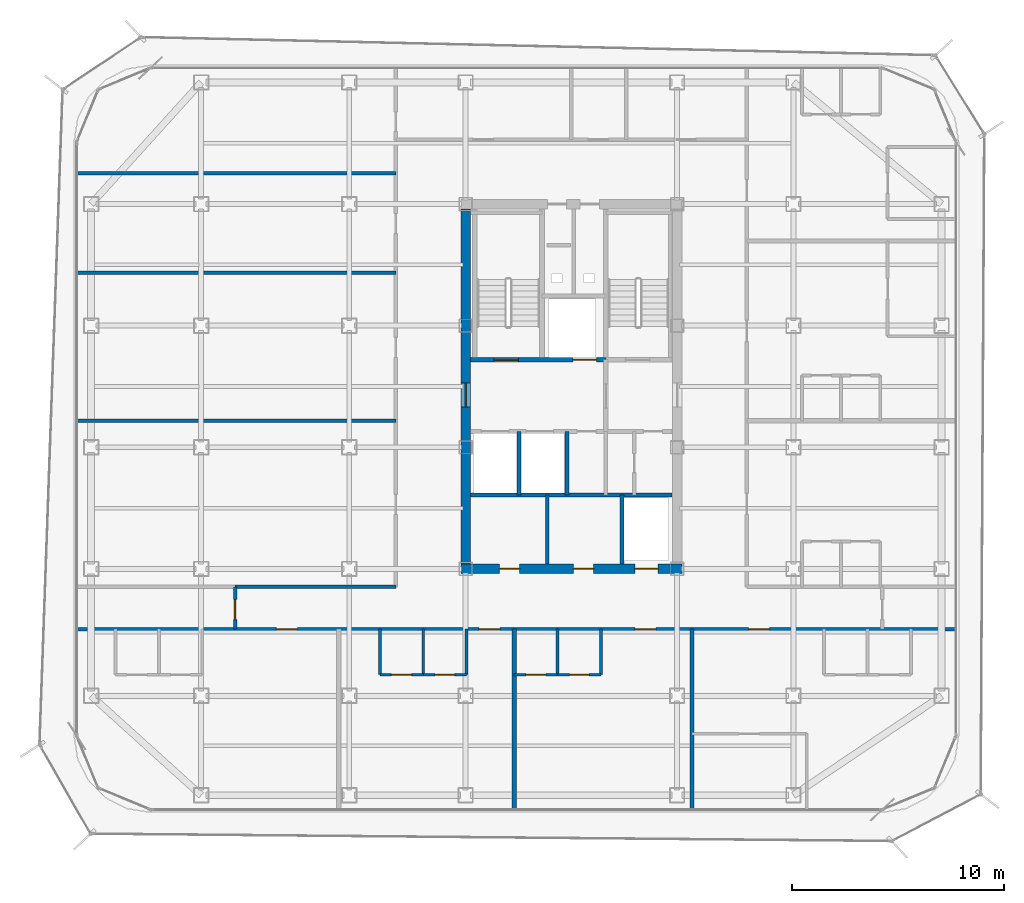
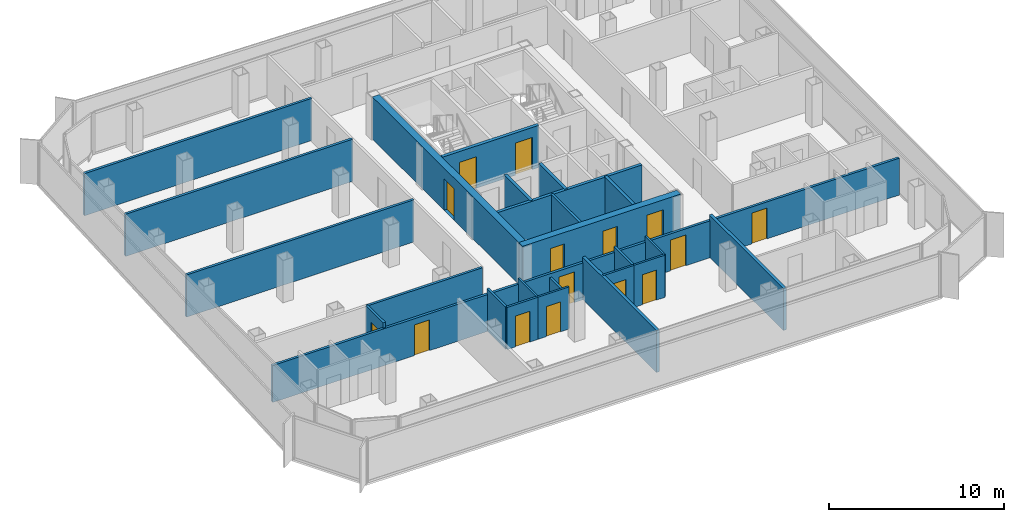
# One storey, part 10 of 16: 25 walls, 15 doors, 15 openings.
"""IFC4 building model written with IfcOpenShell, lengths in metres."""

from ifc_helpers import new_model, si_unit, direction, frame, frame_2d, origin, place, context, subcontext, project, spatial, rectangle, extrude, material, layer, layer_set, type_object, element, fill, save


model = new_model("IFC4")

# Units and contexts
model_context = context("Model", 3, precision=1e-05, world=origin(), true_north=direction((0.0, 1.0)))
body_context = subcontext(model_context, "Body", "Model", "MODEL_VIEW")
ifc_project = project(units=[si_unit("LENGTHUNIT", "METRE"), si_unit("AREAUNIT", "SQUARE_METRE"), si_unit("VOLUMEUNIT", "CUBIC_METRE"), si_unit("PLANEANGLEUNIT", "RADIAN"), si_unit("MASSUNIT", "GRAM", prefix="KILO")], contexts=[model_context])

# Site, building, storey
site_placement = place(None, origin())
site = spatial("IfcSite", under=ifc_project, at=site_placement, CompositionType="ELEMENT")
building_placement = place(site_placement, origin())
building = spatial("IfcBuilding", under=site, at=building_placement, Name="Kolveth Station Tower", CompositionType="ELEMENT")
storey_placement = place(building_placement, frame((0.0, 0.0, 162.5)))
storey = spatial("IfcBuildingStorey", under=building, at=storey_placement, Name="L45", CompositionType="ELEMENT", Elevation=162.5)

# Wall, openings, doors
ifc_material_1 = material(Name="Concrete C50/60", Category="concrete")
ifc_layer_1 = layer(ifc_material_1, 0.449951171875)
ifc_layer_set_1 = layer_set([ifc_layer_1], Name="Concrete C50/60")
wall_type_1 = type_object("IfcWallType", Name="Wall_CW-450", PredefinedType="SHEAR", material=ifc_layer_set_1)
wall_1_placement = place(storey_placement, frame((18.27490234375, 11.5, 0.0), z_axis=(0.0, 0.0, 1.0), x_axis=(1.0, 0.0, 0.0)))
wall_1 = element("IfcWall", 1, at=wall_1_placement, inside=storey, type_object=wall_type_1, Name="L45 Core RC Shear Wall S", PredefinedType="SHEAR", context=body_context, shape_type="SweptSolid", body=[
    extrude(rectangle(XDim=10.4501953125, YDim=0.449951171875, at=frame_2d((5.22509765625, 0.0))), origin(), (0.0, 0.0, 1.0), 2.949951171875),
])
opening_1_placement = place(wall_1_placement, frame((1.824951171875, 0.0, 0.0)))
opening_1 = element("IfcOpeningElement", 2, at=opening_1_placement, cuts=wall_1, Name="Opening ID1", PredefinedType="OPENING", context=body_context, shape_type="SweptSolid", body=[
    extrude(rectangle(XDim=0.949951171875, YDim=2.14990234375, at=frame_2d((0.47509765625, 1.074951171875))), frame((0.0, 0.23486328125, 0.0), z_axis=(0.0, -1.0, 0.0), x_axis=(1.0, 0.0, 0.0)), (0.0, 0.0, 1.0), 0.469970703125),
])
opening_2_placement = place(wall_1_placement, frame((5.324951171875, 0.0, 0.0)))
opening_2 = element("IfcOpeningElement", 3, at=opening_2_placement, cuts=wall_1, Name="Opening ID1", PredefinedType="OPENING", context=body_context, shape_type="SweptSolid", body=[
    extrude(rectangle(XDim=0.949951171875, YDim=2.14990234375, at=frame_2d((0.47509765625, 1.074951171875))), frame((0.0, 0.23486328125, 0.0), z_axis=(0.0, -1.0, 0.0), x_axis=(1.0, 0.0, 0.0)), (0.0, 0.0, 1.0), 0.469970703125),
])
opening_3_placement = place(wall_1_placement, frame((8.22509765625, 0.0, 0.0)))
opening_3 = element("IfcOpeningElement", 4, at=opening_3_placement, cuts=wall_1, Name="Opening LD1", PredefinedType="OPENING", context=body_context, shape_type="SweptSolid", body=[
    extrude(rectangle(XDim=1.10009765625, YDim=2.25, at=frame_2d((0.550048828125, 1.125))), frame((0.0, 0.23486328125, 0.0), z_axis=(0.0, -1.0, 0.0), x_axis=(1.0, 0.0, 0.0)), (0.0, 0.0, 1.0), 0.469970703125),
])
ifc_material_2 = material(Name="Acoustic hardwood leaf and aluminium frame", Category="wood")
door_type_1 = type_object("IfcDoorType", Name="Door_ID1", OperationType="NOTDEFINED", PredefinedType="DOOR", material=ifc_material_2)
door_1_placement = place(opening_1_placement, frame((0.949951171875, 0.0, 0.0), z_axis=(0.0, 0.0, 1.0), x_axis=(-1.0, 0.0, 0.0)))
door_1 = element("IfcDoor", 5, at=door_1_placement, inside=storey, type_object=door_type_1, Name="L45 Laundry Room Door", OperationType="SINGLE_SWING_LEFT", OverallHeight=2.14990234375, OverallWidth=0.949951171875, PredefinedType="DOOR", context=body_context, shape_type="SweptSolid", body=[
    extrude(rectangle(XDim=0.949951171875, YDim=2.14990234375, at=frame_2d((0.47509765625, 1.074951171875))), frame((0.0, 0.02490234375, 0.0), z_axis=(0.0, -1.0, 0.0), x_axis=(1.0, 0.0, 0.0)), (0.0, 0.0, 1.0), 0.050048828125),
])
fill(opening_1, door_1)
door_2_placement = place(opening_2_placement, frame((0.949951171875, 0.0, 0.0), z_axis=(0.0, 0.0, 1.0), x_axis=(-1.0, 0.0, 0.0)))
door_2 = element("IfcDoor", 6, at=door_2_placement, inside=storey, type_object=door_type_1, Name="L45 Parcel Room Door", OperationType="SINGLE_SWING_RIGHT", OverallHeight=2.14990234375, OverallWidth=0.949951171875, PredefinedType="DOOR", context=body_context, shape_type="SweptSolid", body=[
    extrude(rectangle(XDim=0.949951171875, YDim=2.14990234375, at=frame_2d((0.47509765625, 1.074951171875))), frame((0.0, 0.02490234375, 0.0), z_axis=(0.0, -1.0, 0.0), x_axis=(1.0, 0.0, 0.0)), (0.0, 0.0, 1.0), 0.050048828125),
])
fill(opening_2, door_2)
ifc_material_3 = material(Name="Brushed stainless steel sliding landing doors", Category="steel")
door_type_2 = type_object("IfcDoorType", Name="Door_LD1", OperationType="NOTDEFINED", PredefinedType="DOOR", material=ifc_material_3)
door_3_placement = place(opening_3_placement, frame((1.10009765625, 0.0, 0.0), z_axis=(0.0, 0.0, 1.0), x_axis=(-1.0, 0.0, 0.0)))
door_3 = element("IfcDoor", 7, at=door_3_placement, inside=storey, type_object=door_type_2, Name="L45 Lift PH1 Landing Door", OperationType="DOUBLE_DOOR_SLIDING", OverallHeight=2.25, OverallWidth=1.10009765625, PredefinedType="DOOR", context=body_context, shape_type="SweptSolid", body=[
    extrude(rectangle(XDim=1.10009765625, YDim=2.25, at=frame_2d((0.550048828125, 1.125))), frame((0.0, 0.02490234375, 0.0), z_axis=(0.0, -1.0, 0.0), x_axis=(1.0, 0.0, 0.0)), (0.0, 0.0, 1.0), 0.050048828125),
])
fill(opening_3, door_3)

# Wall, opening, door
wall_2_placement = place(storey_placement, frame((18.5, 11.72509765625, 0.0), z_axis=(0.0, 0.0, 1.0), x_axis=(0.0, 1.0, 0.0)))
wall_2 = element("IfcWall", 8, at=wall_2_placement, inside=storey, type_object=wall_type_1, Name="L45 Core RC Shear Wall W", PredefinedType="SHEAR", context=body_context, shape_type="SweptSolid", body=[
    extrude(rectangle(XDim=16.7998046875, YDim=0.449951171875, at=frame_2d((8.39990234375, 0.0))), origin(), (0.0, 0.0, 1.0), 2.949951171875),
])
opening_4_placement = place(wall_2_placement, frame((7.425048828125, 0.0, 0.0)))
opening_4 = element("IfcOpeningElement", 9, at=opening_4_placement, cuts=wall_2, Name="Opening FD1", PredefinedType="OPENING", context=body_context, shape_type="SweptSolid", body=[
    extrude(rectangle(XDim=1.14990234375, YDim=2.199951171875, at=frame_2d((0.574951171875, 1.10009765625))), frame((0.0, 0.23486328125, 0.0), z_axis=(0.0, -1.0, 0.0), x_axis=(1.0, 0.0, 0.0)), (0.0, 0.0, 1.0), 0.469970703125),
])
ifc_material_4 = material(Name="Fire-rated Steel S355 leaf and frame", Category="steel")
door_type_3 = type_object("IfcDoorType", Name="Door_FD1", OperationType="NOTDEFINED", PredefinedType="DOOR", material=ifc_material_4)
door_4_placement = place(opening_4_placement, frame((1.14990234375, 0.0, 0.0), z_axis=(0.0, 0.0, 1.0), x_axis=(-1.0, 0.0, 0.0)))
door_4 = element("IfcDoor", 10, at=door_4_placement, inside=storey, type_object=door_type_3, Name="L45 West Corridor to Firefighting Lobby Door", OperationType="SINGLE_SWING_LEFT", OverallHeight=2.199951171875, OverallWidth=1.14990234375, PredefinedType="DOOR", context=body_context, shape_type="SweptSolid", body=[
    extrude(rectangle(XDim=1.14990234375, YDim=2.199951171875, at=frame_2d((0.574951171875, 1.10009765625))), frame((0.0, 0.02490234375, 0.0), z_axis=(0.0, -1.0, 0.0), x_axis=(1.0, 0.0, 0.0)), (0.0, 0.0, 1.0), 0.050048828125),
])
fill(opening_4, door_4)

ifc_material_5 = material(Name="Moisture-resistant gypsum partition")
ifc_layer_2 = layer(ifc_material_5, 0.135009765625)
ifc_layer_set_2 = layer_set([ifc_layer_2], Name="Moisture-resistant gypsum partition")
wall_type_2 = type_object("IfcWallType", Name="Wall_IW-135", PredefinedType="PARTITIONING", material=ifc_layer_set_2)
wall_3_placement = place(storey_placement, frame((14.449951171875, 6.5, 0.0), z_axis=(0.0, 0.0, 1.0), x_axis=(1.0, 0.0, 0.0)))
wall_3 = element("IfcWall", 11, at=wall_3_placement, inside=storey, type_object=wall_type_2, Name="L45 Partition Wall WL-L45-A2-IBHK", PredefinedType="PARTITIONING", context=body_context, shape_type="SweptSolid", body=[
    extrude(rectangle(XDim=2.050048828125, YDim=0.135009765625, at=frame_2d((1.02490234375, 0.0))), origin(), (0.0, 0.0, 1.0), 2.949951171875),
])
opening_5_placement = place(wall_3_placement, frame((0.544921875, 0.0, 0.0)))
opening_5 = element("IfcOpeningElement", 12, at=opening_5_placement, cuts=wall_3, Name="Opening ID1", PredefinedType="OPENING", context=body_context, shape_type="SweptSolid", body=[
    extrude(rectangle(XDim=0.949951171875, YDim=2.14990234375, at=frame_2d((0.47509765625, 1.074951171875))), frame((0.0, 0.077392578125, 0.0), z_axis=(0.0, -1.0, 0.0), x_axis=(1.0, 0.0, 0.0)), (0.0, 0.0, 1.0), 0.155029296875),
])
door_5_placement = place(opening_5_placement, origin())
door_5 = element("IfcDoor", 13, at=door_5_placement, inside=storey, type_object=door_type_1, Name="Flat L45-A2 Kitchen Door", OperationType="SINGLE_SWING_RIGHT", OverallHeight=2.14990234375, OverallWidth=0.949951171875, PredefinedType="DOOR", context=body_context, shape_type="SweptSolid", body=[
    extrude(rectangle(XDim=0.949951171875, YDim=2.14990234375, at=frame_2d((0.47509765625, 1.074951171875))), frame((0.0, 0.02490234375, 0.0), z_axis=(0.0, -1.0, 0.0), x_axis=(1.0, 0.0, 0.0)), (0.0, 0.0, 1.0), 0.050048828125),
])
fill(opening_5, door_5)

wall_4_placement = place(storey_placement, frame((16.5, 6.5, 0.0), z_axis=(0.0, 0.0, 1.0), x_axis=(1.0, 0.0, 0.0)))
wall_4 = element("IfcWall", 14, at=wall_4_placement, inside=storey, type_object=wall_type_2, Name="L45 Partition Wall WL-L45-A2-IBHB", PredefinedType="PARTITIONING", context=body_context, shape_type="SweptSolid", body=[
    extrude(rectangle(XDim=2.050048828125, YDim=0.135009765625, at=frame_2d((1.02490234375, 0.0))), origin(), (0.0, 0.0, 1.0), 2.949951171875),
])
opening_6_placement = place(wall_4_placement, frame((0.56494140625, 0.0, 0.0)))
opening_6 = element("IfcOpeningElement", 15, at=opening_6_placement, cuts=wall_4, Name="Opening ID2", PredefinedType="OPENING", context=body_context, shape_type="SweptSolid", body=[
    extrude(rectangle(XDim=0.919921875, YDim=2.10009765625, at=frame_2d((0.4599609375, 1.050048828125))), frame((0.0, 0.077392578125, 0.0), z_axis=(0.0, -1.0, 0.0), x_axis=(1.0, 0.0, 0.0)), (0.0, 0.0, 1.0), 0.155029296875),
])
ifc_material_6 = material(Name="Moisture-resistant hardwood leaf", Category="wood")
door_type_4 = type_object("IfcDoorType", Name="Door_ID2", OperationType="NOTDEFINED", PredefinedType="DOOR", material=ifc_material_6)
door_6_placement = place(opening_6_placement, origin())
door_6 = element("IfcDoor", 16, at=door_6_placement, inside=storey, type_object=door_type_4, Name="Flat L45-A2 Bathroom Door", OperationType="SINGLE_SWING_LEFT", OverallHeight=2.10009765625, OverallWidth=0.919921875, PredefinedType="DOOR", context=body_context, shape_type="SweptSolid", body=[
    extrude(rectangle(XDim=0.919921875, YDim=2.10009765625, at=frame_2d((0.4599609375, 1.050048828125))), frame((0.0, 0.02490234375, 0.0), z_axis=(0.0, -1.0, 0.0), x_axis=(1.0, 0.0, 0.0)), (0.0, 0.0, 1.0), 0.050048828125),
])
fill(opening_6, door_6)

# Walls
for number, where, z_axis, x_axis, name in (
    (17, (14.449951171875, 6.5, 0.0), (0.0, 0.0, 1.0), (0.0, 1.0, 0.0), "L45 Partition Wall WL-L45-A2-IBV0"),
    (18, (16.5, 6.5, 0.0), (0.0, 0.0, 1.0), (0.0, 1.0, 0.0), "L45 Partition Wall WL-L45-A2-IBV1"),
):
    element("IfcWall", number, at=place(storey_placement, frame(where, z_axis=z_axis, x_axis=x_axis)), inside=storey, type_object=wall_type_2, Name=name, PredefinedType="PARTITIONING", context=body_context, shape_type="SweptSolid", body=[
        extrude(rectangle(XDim=2.14990234375, YDim=0.135009765625, at=frame_2d((1.074951171875, 0.0))), origin(), (0.0, 0.0, 1.0), 2.949951171875),
    ])
wall_5_placement = place(storey_placement, frame((18.550048828125, 6.5, 0.0), z_axis=(0.0, 0.0, 1.0), x_axis=(0.0, 1.0, 0.0)))
element("IfcWall", 19, at=wall_5_placement, inside=storey, type_object=wall_type_2, Name="L45 Partition Wall WL-L45-A2-IBV2", PredefinedType="PARTITIONING", context=body_context, shape_type="SweptSolid", body=[
    extrude(rectangle(XDim=2.14990234375, YDim=0.135009765625, at=frame_2d((1.074951171875, 0.0))), origin(), (0.0, 0.0, 1.0), 2.322998046875),
])

# Wall, opening, door
wall_6_placement = place(storey_placement, frame((20.800048828125, 6.5, 0.0), z_axis=(0.0, 0.0, 1.0), x_axis=(1.0, 0.0, 0.0)))
wall_6 = element("IfcWall", 20, at=wall_6_placement, inside=storey, type_object=wall_type_2, Name="L45 Partition Wall WL-L45-A3-IBHK", PredefinedType="PARTITIONING", context=body_context, shape_type="SweptSolid", body=[
    extrude(rectangle(XDim=2.050048828125, YDim=0.135009765625, at=frame_2d((1.02490234375, 0.0))), origin(), (0.0, 0.0, 1.0), 2.949951171875),
])
opening_7_placement = place(wall_6_placement, frame((0.544921875, 0.0, 0.0)))
opening_7 = element("IfcOpeningElement", 21, at=opening_7_placement, cuts=wall_6, Name="Opening ID1", PredefinedType="OPENING", context=body_context, shape_type="SweptSolid", body=[
    extrude(rectangle(XDim=0.949951171875, YDim=2.14990234375, at=frame_2d((0.47509765625, 1.074951171875))), frame((0.0, 0.077392578125, 0.0), z_axis=(0.0, -1.0, 0.0), x_axis=(1.0, 0.0, 0.0)), (0.0, 0.0, 1.0), 0.155029296875),
])
door_7_placement = place(opening_7_placement, origin())
door_7 = element("IfcDoor", 22, at=door_7_placement, inside=storey, type_object=door_type_1, Name="Flat L45-A3 Kitchen Door", OperationType="SINGLE_SWING_LEFT", OverallHeight=2.14990234375, OverallWidth=0.949951171875, PredefinedType="DOOR", context=body_context, shape_type="SweptSolid", body=[
    extrude(rectangle(XDim=0.949951171875, YDim=2.14990234375, at=frame_2d((0.47509765625, 1.074951171875))), frame((0.0, 0.02490234375, 0.0), z_axis=(0.0, -1.0, 0.0), x_axis=(1.0, 0.0, 0.0)), (0.0, 0.0, 1.0), 0.050048828125),
])
fill(opening_7, door_7)

wall_7_placement = place(storey_placement, frame((22.85009765625, 6.5, 0.0), z_axis=(0.0, 0.0, 1.0), x_axis=(1.0, 0.0, 0.0)))
wall_7 = element("IfcWall", 23, at=wall_7_placement, inside=storey, type_object=wall_type_2, Name="L45 Partition Wall WL-L45-A3-IBHB", PredefinedType="PARTITIONING", context=body_context, shape_type="SweptSolid", body=[
    extrude(rectangle(XDim=2.0498046875, YDim=0.135009765625, at=frame_2d((1.02490234375, 0.0))), origin(), (0.0, 0.0, 1.0), 2.949951171875),
])
opening_8_placement = place(wall_7_placement, frame((0.56494140625, 0.0, 0.0)))
opening_8 = element("IfcOpeningElement", 24, at=opening_8_placement, cuts=wall_7, Name="Opening ID2", PredefinedType="OPENING", context=body_context, shape_type="SweptSolid", body=[
    extrude(rectangle(XDim=0.919921875, YDim=2.10009765625, at=frame_2d((0.4599609375, 1.050048828125))), frame((0.0, 0.077392578125, 0.0), z_axis=(0.0, -1.0, 0.0), x_axis=(1.0, 0.0, 0.0)), (0.0, 0.0, 1.0), 0.155029296875),
])
door_8_placement = place(opening_8_placement, origin())
door_8 = element("IfcDoor", 25, at=door_8_placement, inside=storey, type_object=door_type_4, Name="Flat L45-A3 Bathroom Door", OperationType="SINGLE_SWING_RIGHT", OverallHeight=2.10009765625, OverallWidth=0.919921875, PredefinedType="DOOR", context=body_context, shape_type="SweptSolid", body=[
    extrude(rectangle(XDim=0.919921875, YDim=2.10009765625, at=frame_2d((0.4599609375, 1.050048828125))), frame((0.0, 0.02490234375, 0.0), z_axis=(0.0, -1.0, 0.0), x_axis=(1.0, 0.0, 0.0)), (0.0, 0.0, 1.0), 0.050048828125),
])
fill(opening_8, door_8)

# Walls
for number, where, z_axis, x_axis, name in (
    (26, (22.85009765625, 6.5, 0.0), (0.0, 0.0, 1.0), (0.0, 1.0, 0.0), "L45 Partition Wall WL-L45-A3-IBV1"),
    (27, (24.89990234375, 6.5, 0.0), (0.0, 0.0, 1.0), (0.0, 1.0, 0.0), "L45 Partition Wall WL-L45-A3-IBV2"),
):
    element("IfcWall", number, at=place(storey_placement, frame(where, z_axis=z_axis, x_axis=x_axis)), inside=storey, type_object=wall_type_2, Name=name, PredefinedType="PARTITIONING", context=body_context, shape_type="SweptSolid", body=[
        extrude(rectangle(XDim=2.14990234375, YDim=0.135009765625, at=frame_2d((1.074951171875, 0.0))), origin(), (0.0, 0.0, 1.0), 2.949951171875),
    ])
ifc_material_7 = material(Name="Acoustic double-stud gypsum partition")
ifc_layer_3 = layer(ifc_material_7, 0.1650390625)
ifc_layer_set_3 = layer_set([ifc_layer_3], Name="Acoustic double-stud gypsum partition")
wall_type_3 = type_object("IfcWallType", Name="Wall_IW-165", PredefinedType="PARTITIONING", material=ifc_layer_set_3)
wall_8_placement = place(storey_placement, frame((22.35009765625, 11.735107421875, 0.0), z_axis=(0.0, 0.0, 1.0), x_axis=(0.0, 1.0, 0.0)))
element("IfcWall", 28, at=wall_8_placement, inside=storey, type_object=wall_type_3, Name="L45 Partition Wall WL-L45-FR-M", PredefinedType="PARTITIONING", context=body_context, shape_type="SweptSolid", body=[
    extrude(rectangle(XDim=3.264892578125, YDim=0.1650390625, at=frame_2d((1.63232421875, 0.0))), origin(), (0.0, 0.0, 1.0), 2.949951171875),
])

# Wall, openings, doors
wall_9_placement = place(storey_placement, frame((0.159912109375, 8.64990234375, 0.0), z_axis=(0.0, 0.0, 1.0), x_axis=(1.0, 0.0, 0.0)))
wall_9 = element("IfcWall", 29, at=wall_9_placement, inside=storey, type_object=wall_type_3, Name="L45 Partition Wall WL-L45-RS", PredefinedType="PARTITIONING", context=body_context, shape_type="SweptSolid", body=[
    extrude(rectangle(XDim=41.47998046875, YDim=0.1650390625, at=frame_2d((20.739990234375, 0.0))), origin(), (0.0, 0.0, 1.0), 2.5830078125),
])
opening_9_placement = place(wall_9_placement, frame((9.389892578125, 0.0, 0.0)))
opening_9 = element("IfcOpeningElement", 30, at=opening_9_placement, cuts=wall_9, Name="Opening FD3", PredefinedType="OPENING", context=body_context, shape_type="SweptSolid", body=[
    extrude(rectangle(XDim=1.0, YDim=2.14990234375, at=frame_2d((0.5, 1.074951171875))), frame((0.0, 0.092529296875, 0.0), z_axis=(0.0, -1.0, 0.0), x_axis=(1.0, 0.0, 0.0)), (0.0, 0.0, 1.0), 0.18505859375),
])
opening_10_placement = place(wall_9_placement, frame((18.965087890625, 0.0, 0.0)))
opening_10 = element("IfcOpeningElement", 31, at=opening_10_placement, cuts=wall_9, Name="Opening FD3", PredefinedType="OPENING", context=body_context, shape_type="SweptSolid", body=[
    extrude(rectangle(XDim=1.0, YDim=2.14990234375, at=frame_2d((0.5, 1.074951171875))), frame((0.0, 0.092529296875, 0.0), z_axis=(0.0, -1.0, 0.0), x_axis=(1.0, 0.0, 0.0)), (0.0, 0.0, 1.0), 0.18505859375),
])
opening_11_placement = place(wall_9_placement, frame((26.340087890625, 0.0, 0.0)))
opening_11 = element("IfcOpeningElement", 32, at=opening_11_placement, cuts=wall_9, Name="Opening FD3", PredefinedType="OPENING", context=body_context, shape_type="SweptSolid", body=[
    extrude(rectangle(XDim=1.0, YDim=2.14990234375, at=frame_2d((0.5, 1.074951171875))), frame((0.0, 0.092529296875, 0.0), z_axis=(0.0, -1.0, 0.0), x_axis=(1.0, 0.0, 0.0)), (0.0, 0.0, 1.0), 0.18505859375),
])
opening_12_placement = place(wall_9_placement, frame((31.715087890625, 0.0, 0.0)))
opening_12 = element("IfcOpeningElement", 33, at=opening_12_placement, cuts=wall_9, Name="Opening FD3", PredefinedType="OPENING", context=body_context, shape_type="SweptSolid", body=[
    extrude(rectangle(XDim=1.0, YDim=2.14990234375, at=frame_2d((0.5, 1.074951171875))), frame((0.0, 0.092529296875, 0.0), z_axis=(0.0, -1.0, 0.0), x_axis=(1.0, 0.0, 0.0)), (0.0, 0.0, 1.0), 0.18505859375),
])
ifc_material_8 = material(Name="Fire-rated hardwood leaf and aluminium frame", Category="wood")
door_type_5 = type_object("IfcDoorType", Name="Door_FD3", OperationType="NOTDEFINED", PredefinedType="DOOR", material=ifc_material_8)
door_9_placement = place(opening_9_placement, frame((1.0, 0.0, 0.0), z_axis=(0.0, 0.0, 1.0), x_axis=(-1.0, 0.0, 0.0)))
door_9 = element("IfcDoor", 34, at=door_9_placement, inside=storey, type_object=door_type_5, Name="Penthouse Flat L45-A1 Entrance Door", OperationType="SINGLE_SWING_LEFT", OverallHeight=2.14990234375, OverallWidth=1.0, PredefinedType="DOOR", context=body_context, shape_type="SweptSolid", body=[
    extrude(rectangle(XDim=1.0, YDim=2.14990234375, at=frame_2d((0.5, 1.074951171875))), frame((0.0, 0.02490234375, 0.0), z_axis=(0.0, -1.0, 0.0), x_axis=(1.0, 0.0, 0.0)), (0.0, 0.0, 1.0), 0.050048828125),
])
fill(opening_9, door_9)
door_10_placement = place(opening_10_placement, frame((1.0, 0.0, 0.0), z_axis=(0.0, 0.0, 1.0), x_axis=(-1.0, 0.0, 0.0)))
door_10 = element("IfcDoor", 35, at=door_10_placement, inside=storey, type_object=door_type_5, Name="Flat L45-A2 Entrance Door", OperationType="SINGLE_SWING_RIGHT", OverallHeight=2.14990234375, OverallWidth=1.0, PredefinedType="DOOR", context=body_context, shape_type="SweptSolid", body=[
    extrude(rectangle(XDim=1.0, YDim=2.14990234375, at=frame_2d((0.5, 1.074951171875))), frame((0.0, 0.02490234375, 0.0), z_axis=(0.0, -1.0, 0.0), x_axis=(1.0, 0.0, 0.0)), (0.0, 0.0, 1.0), 0.050048828125),
])
fill(opening_10, door_10)
door_11_placement = place(opening_11_placement, frame((1.0, 0.0, 0.0), z_axis=(0.0, 0.0, 1.0), x_axis=(-1.0, 0.0, 0.0)))
door_11 = element("IfcDoor", 36, at=door_11_placement, inside=storey, type_object=door_type_5, Name="Flat L45-A3 Entrance Door", OperationType="SINGLE_SWING_LEFT", OverallHeight=2.14990234375, OverallWidth=1.0, PredefinedType="DOOR", context=body_context, shape_type="SweptSolid", body=[
    extrude(rectangle(XDim=1.0, YDim=2.14990234375, at=frame_2d((0.5, 1.074951171875))), frame((0.0, 0.02490234375, 0.0), z_axis=(0.0, -1.0, 0.0), x_axis=(1.0, 0.0, 0.0)), (0.0, 0.0, 1.0), 0.050048828125),
])
fill(opening_11, door_11)
door_12_placement = place(opening_12_placement, frame((1.0, 0.0, 0.0), z_axis=(0.0, 0.0, 1.0), x_axis=(-1.0, 0.0, 0.0)))
door_12 = element("IfcDoor", 37, at=door_12_placement, inside=storey, type_object=door_type_5, Name="Penthouse Flat L45-A4 Entrance Door", OperationType="SINGLE_SWING_LEFT", OverallHeight=2.14990234375, OverallWidth=1.0, PredefinedType="DOOR", context=body_context, shape_type="SweptSolid", body=[
    extrude(rectangle(XDim=1.0, YDim=2.14990234375, at=frame_2d((0.5, 1.074951171875))), frame((0.0, 0.02490234375, 0.0), z_axis=(0.0, -1.0, 0.0), x_axis=(1.0, 0.0, 0.0)), (0.0, 0.0, 1.0), 0.050048828125),
])
fill(opening_12, door_12)

# Wall
wall_10_placement = place(storey_placement, frame((7.60009765625, 10.64990234375, 0.0), z_axis=(0.0, 0.0, 1.0), x_axis=(1.0, 0.0, 0.0)))
element("IfcWall", 38, at=wall_10_placement, inside=storey, type_object=wall_type_3, Name="L45 Partition Wall WL-L45-RSWT", PredefinedType="PARTITIONING", context=body_context, shape_type="SweptSolid", body=[
    extrude(rectangle(XDim=7.599853515625, YDim=0.1650390625, at=frame_2d((3.7998046875, 0.0))), origin(), (0.0, 0.0, 1.0), 2.949951171875),
])

# Wall, opening, door
wall_11_placement = place(storey_placement, frame((7.60009765625, 8.64990234375, 0.0), z_axis=(0.0, 0.0, 1.0), x_axis=(0.0, 1.0, 0.0)))
wall_11 = element("IfcWall", 39, at=wall_11_placement, inside=storey, type_object=wall_type_3, Name="L45 Partition Wall WL-L45-RSWE", PredefinedType="PARTITIONING", context=body_context, shape_type="SweptSolid", body=[
    extrude(rectangle(XDim=2.0, YDim=0.1650390625, at=frame_2d((1.0, 0.0))), origin(), (0.0, 0.0, 1.0), 2.949951171875),
])
opening_13_placement = place(wall_11_placement, frame((0.449951171875, 0.0, 0.0)))
opening_13 = element("IfcOpeningElement", 40, at=opening_13_placement, cuts=wall_11, Name="Opening ID1", PredefinedType="OPENING", context=body_context, shape_type="SweptSolid", body=[
    extrude(rectangle(XDim=0.949951171875, YDim=2.14990234375, at=frame_2d((0.47509765625, 1.074951171875))), frame((0.0, 0.092529296875, 0.0), z_axis=(0.0, -1.0, 0.0), x_axis=(1.0, 0.0, 0.0)), (0.0, 0.0, 1.0), 0.18505859375),
])
door_13_placement = place(opening_13_placement, frame((0.949951171875, 0.0, 0.0), z_axis=(0.0, 0.0, 1.0), x_axis=(-1.0, 0.0, 0.0)))
door_13 = element("IfcDoor", 41, at=door_13_placement, inside=storey, type_object=door_type_1, Name="L45 West Store Door", OperationType="SINGLE_SWING_RIGHT", OverallHeight=2.14990234375, OverallWidth=0.949951171875, PredefinedType="DOOR", context=body_context, shape_type="SweptSolid", body=[
    extrude(rectangle(XDim=0.949951171875, YDim=2.14990234375, at=frame_2d((0.47509765625, 1.074951171875))), frame((0.0, 0.02490234375, 0.0), z_axis=(0.0, -1.0, 0.0), x_axis=(1.0, 0.0, 0.0)), (0.0, 0.0, 1.0), 0.050048828125),
])
fill(opening_13, door_13)

# Walls
for number, where, z_axis, x_axis, name in (
    (42, (0.159912109375, 18.5, 0.0), (0.0, 0.0, 1.0), (1.0, 0.0, 0.0), "L45 Partition Wall WL-L45-RWA-P1"),
    (43, (0.159912109375, 25.5, 0.0), (0.0, 0.0, 1.0), (1.0, 0.0, 0.0), "L45 Partition Wall WL-L45-RWA-P2"),
    (44, (0.159912109375, 30.199951171875, 0.0), (0.0, 0.0, 1.0), (1.0, 0.0, 0.0), "L45 Partition Wall WL-L45-RWA-P3"),
):
    element("IfcWall", number, at=place(storey_placement, frame(where, z_axis=z_axis, x_axis=x_axis)), inside=storey, type_object=wall_type_3, Name=name, PredefinedType="PARTITIONING", context=body_context, shape_type="SweptSolid", body=[
        extrude(rectangle(XDim=15.0400390625, YDim=0.1650390625, at=frame_2d((7.52001953125, 0.0))), origin(), (0.0, 0.0, 1.0), 2.949951171875),
    ])
ifc_material_9 = material(Name="Acoustic fire-rated gypsum blockwork", Category="masonry")
ifc_layer_4 = layer(ifc_material_9, 0.199951171875)
ifc_layer_set_4 = layer_set([ifc_layer_4], Name="Acoustic fire-rated gypsum blockwork")
wall_type_4 = type_object("IfcWallType", Name="Wall_IW-200", PredefinedType="PARTITIONING", material=ifc_layer_set_4)
for number, where, z_axis, x_axis, name in (
    (45, (21.02001953125, 15.0, 0.0), (0.0, 0.0, 1.0), (0.0, 1.0, 0.0), "L45 Partition Wall WL-L45-FF12"),
    (46, (23.300048828125, 15.0, 0.0), (0.0, 0.0, 1.0), (0.0, 1.0, 0.0), "L45 Partition Wall WL-L45-FF2E"),
):
    element("IfcWall", number, at=place(storey_placement, frame(where, z_axis=z_axis, x_axis=x_axis)), inside=storey, type_object=wall_type_4, Name=name, PredefinedType="PARTITIONING", context=body_context, shape_type="SweptSolid", body=[
        extrude(rectangle(XDim=3.0, YDim=0.199951171875, at=frame_2d((1.5, 0.0))), origin(), (0.0, 0.0, 1.0), 2.949951171875),
    ])
wall_12_placement = place(storey_placement, frame((18.735107421875, 15.0, 0.0), z_axis=(0.0, 0.0, 1.0), x_axis=(1.0, 0.0, 0.0)))
element("IfcWall", 47, at=wall_12_placement, inside=storey, type_object=wall_type_4, Name="L45 Partition Wall WL-L45-BOH-S", PredefinedType="PARTITIONING", context=body_context, shape_type="SweptSolid", body=[
    extrude(rectangle(XDim=9.52978515625, YDim=0.199951171875, at=frame_2d((4.764892578125, 0.0))), origin(), (0.0, 0.0, 1.0), 2.949951171875),
])
wall_13_placement = place(storey_placement, frame((25.89990234375, 11.735107421875, 0.0), z_axis=(0.0, 0.0, 1.0), x_axis=(0.0, 1.0, 0.0)))
element("IfcWall", 48, at=wall_13_placement, inside=storey, type_object=wall_type_4, Name="L45 Partition Wall WL-L45-PMPH", PredefinedType="PARTITIONING", context=body_context, shape_type="SweptSolid", body=[
    extrude(rectangle(XDim=3.264892578125, YDim=0.199951171875, at=frame_2d((1.63232421875, 0.0))), origin(), (0.0, 0.0, 1.0), 2.949951171875),
])
for number, where, z_axis, x_axis, name in (
    (49, (20.800048828125, 0.159912109375, 0.0), (0.0, 0.0, 1.0), (0.0, 1.0, 0.0), "L45 Partition Wall WL-L45-RSU-2"),
    (50, (29.199951171875, 0.159912109375, 0.0), (0.0, 0.0, 1.0), (0.0, 1.0, 0.0), "L45 Partition Wall WL-L45-RSU-3"),
):
    element("IfcWall", number, at=place(storey_placement, frame(where, z_axis=z_axis, x_axis=x_axis)), inside=storey, type_object=wall_type_4, Name=name, PredefinedType="PARTITIONING", context=body_context, shape_type="SweptSolid", body=[
        extrude(rectangle(XDim=8.489990234375, YDim=0.199951171875, at=frame_2d((4.2451171875, 0.0))), origin(), (0.0, 0.0, 1.0), 2.949951171875),
    ])

# Wall, openings, doors
ifc_material_10 = material(Name="Concrete C40/50", Category="concrete")
ifc_layer_5 = layer(ifc_material_10, 0.219970703125)
ifc_layer_set_5 = layer_set([ifc_layer_5], Name="Concrete C40/50")
wall_type_5 = type_object("IfcWallType", Name="Wall_IW-220", PredefinedType="SOLIDWALL", material=ifc_layer_set_5)
wall_14_placement = place(storey_placement, frame((18.735107421875, 21.389892578125, 0.0), z_axis=(0.0, 0.0, 1.0), x_axis=(1.0, 0.0, 0.0)))
wall_14 = element("IfcWall", 51, at=wall_14_placement, inside=storey, type_object=wall_type_5, Name="L45 Stair Shaft Wall WL-L45-ST1-S", PredefinedType="SOLIDWALL", context=body_context, shape_type="SweptSolid", body=[
    extrude(rectangle(XDim=6.394775390625, YDim=0.219970703125, at=frame_2d((3.197265625, 0.0))), origin(), (0.0, 0.0, 1.0), 2.949951171875),
])
opening_14_placement = place(wall_14_placement, frame((1.114990234375, 0.0, 0.0)))
opening_14 = element("IfcOpeningElement", 52, at=opening_14_placement, cuts=wall_14, Name="Opening FD1", PredefinedType="OPENING", context=body_context, shape_type="SweptSolid", body=[
    extrude(rectangle(XDim=1.14990234375, YDim=2.199951171875, at=frame_2d((0.574951171875, 1.10009765625))), frame((0.0, 0.119873046875, 0.0), z_axis=(0.0, -1.0, 0.0), x_axis=(1.0, 0.0, 0.0)), (0.0, 0.0, 1.0), 0.239990234375),
])
opening_15_placement = place(wall_14_placement, frame((4.844970703125, 0.0, 0.0)))
opening_15 = element("IfcOpeningElement", 53, at=opening_15_placement, cuts=wall_14, Name="Opening LD1", PredefinedType="OPENING", context=body_context, shape_type="SweptSolid", body=[
    extrude(rectangle(XDim=1.10009765625, YDim=2.25, at=frame_2d((0.550048828125, 1.125))), frame((0.0, 0.119873046875, 0.0), z_axis=(0.0, -1.0, 0.0), x_axis=(1.0, 0.0, 0.0)), (0.0, 0.0, 1.0), 0.239990234375),
])
door_14_placement = place(opening_14_placement, frame((1.14990234375, 0.0, 0.0), z_axis=(0.0, 0.0, 1.0), x_axis=(-1.0, 0.0, 0.0)))
door_14 = element("IfcDoor", 54, at=door_14_placement, inside=storey, type_object=door_type_3, Name="L45 Stair ST1 Fire Door", OperationType="SINGLE_SWING_LEFT", OverallHeight=2.199951171875, OverallWidth=1.14990234375, PredefinedType="DOOR", context=body_context, shape_type="SweptSolid", body=[
    extrude(rectangle(XDim=1.14990234375, YDim=2.199951171875, at=frame_2d((0.574951171875, 1.10009765625))), frame((0.0, 0.02490234375, 0.0), z_axis=(0.0, -1.0, 0.0), x_axis=(1.0, 0.0, 0.0)), (0.0, 0.0, 1.0), 0.050048828125),
])
fill(opening_14, door_14)
door_15_placement = place(opening_15_placement, frame((1.10009765625, 0.0, 0.0), z_axis=(0.0, 0.0, 1.0), x_axis=(-1.0, 0.0, 0.0)))
door_15 = element("IfcDoor", 55, at=door_15_placement, inside=storey, type_object=door_type_2, Name="L45 Service Lift SV1 Landing Door", OperationType="DOUBLE_DOOR_SLIDING", OverallHeight=2.25, OverallWidth=1.10009765625, PredefinedType="DOOR", context=body_context, shape_type="SweptSolid", body=[
    extrude(rectangle(XDim=1.10009765625, YDim=2.25, at=frame_2d((0.550048828125, 1.125))), frame((0.0, 0.02490234375, 0.0), z_axis=(0.0, -1.0, 0.0), x_axis=(1.0, 0.0, 0.0)), (0.0, 0.0, 1.0), 0.050048828125),
])
fill(opening_15, door_15)

save(model, "model.ifc")
